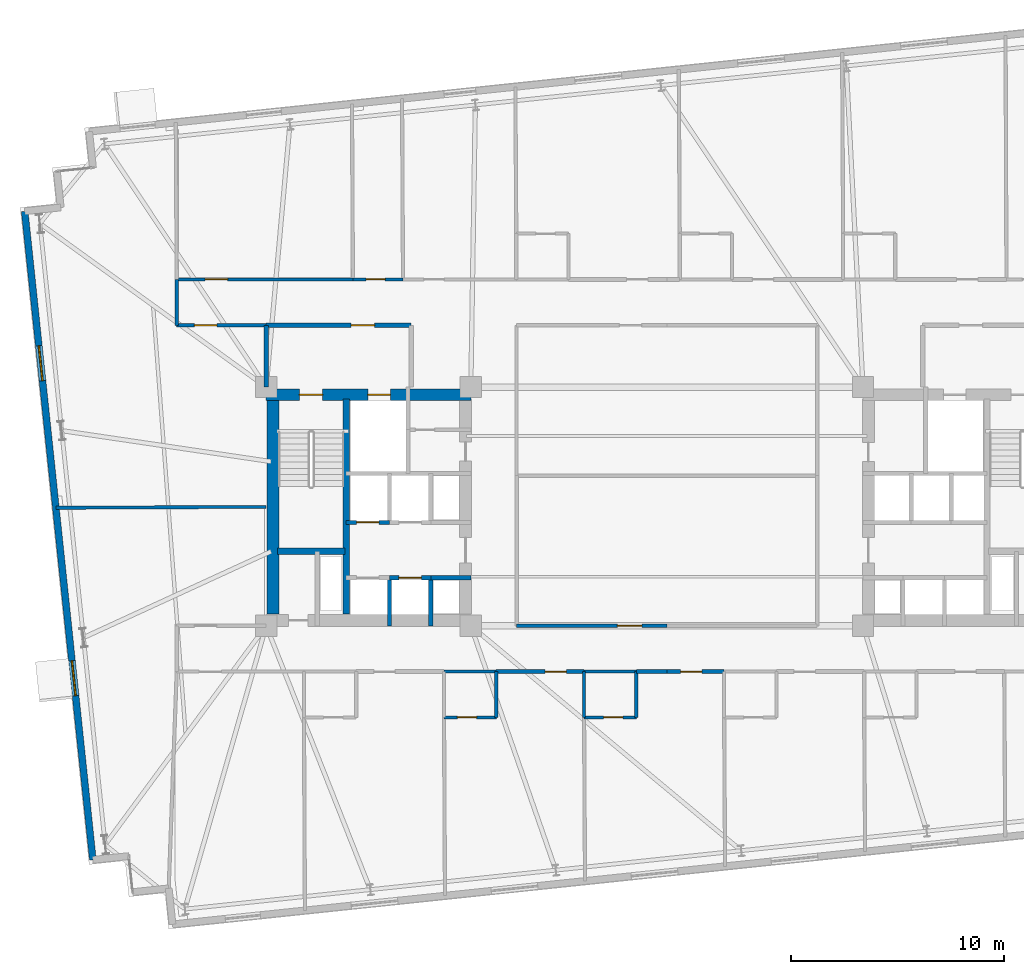
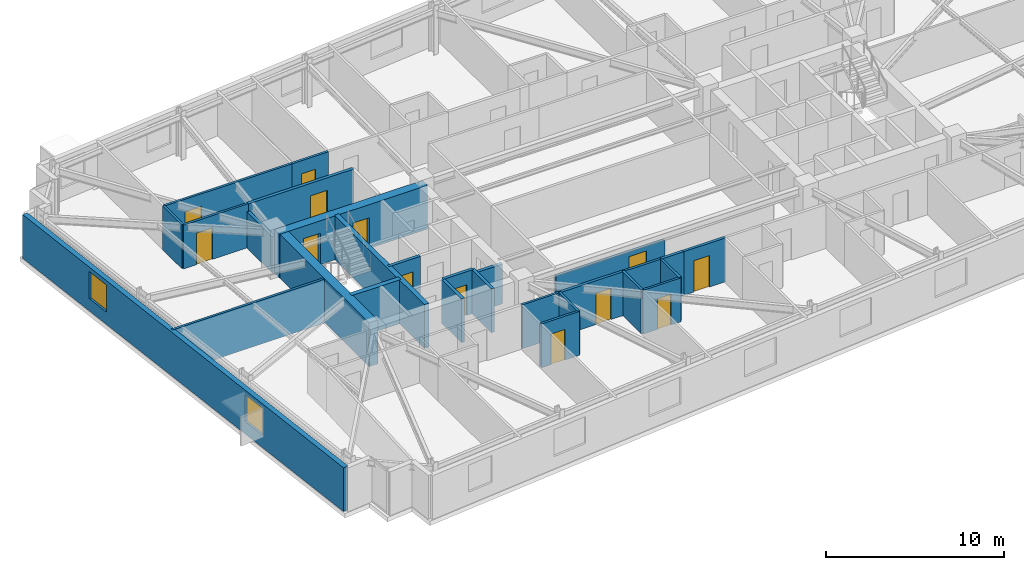
# One storey, part 12 of 19: 28 walls, 13 doors, 2 windows, 15 openings.
"""IFC4 building model written with IfcOpenShell, lengths in metres."""

from ifc_helpers import new_model, si_unit, direction, frame, frame_2d, origin, place, context, subcontext, project, spatial, rectangle, extrude, material, layer, layer_set, type_object, element, fill, save


model = new_model("IFC4")

# Units and contexts
model_context = context("Model", 3, precision=1e-05, world=origin(), true_north=direction((0.0, 1.0)))
body_context = subcontext(model_context, "Body", "Model", "MODEL_VIEW")
ifc_project = project(units=[si_unit("LENGTHUNIT", "METRE"), si_unit("AREAUNIT", "SQUARE_METRE"), si_unit("VOLUMEUNIT", "CUBIC_METRE"), si_unit("PLANEANGLEUNIT", "RADIAN"), si_unit("MASSUNIT", "GRAM", prefix="KILO")], contexts=[model_context])

# Site, building, storey
site_placement = place(None, origin())
site = spatial("IfcSite", under=ifc_project, at=site_placement, CompositionType="ELEMENT")
building_placement = place(site_placement, origin())
building = spatial("IfcBuilding", under=site, at=building_placement, Name="Qobustan Lattice House", CompositionType="ELEMENT")
storey_placement = place(building_placement, frame((0.0, 0.0, 122.550048828125)))
storey = spatial("IfcBuildingStorey", under=building, at=storey_placement, Name="L34", CompositionType="ELEMENT", Elevation=122.550048828125)

# Wall, openings, doors
ifc_material_1 = material(Name="Concrete C60/75", Category="concrete")
ifc_layer_1 = layer(ifc_material_1, 0.56005859375)
ifc_layer_set_1 = layer_set([ifc_layer_1], Name="Concrete C60/75")
wall_type_1 = type_object("IfcWallType", Name="WAL-CORE-600", PredefinedType="SHEAR", material=ifc_layer_set_1)
wall_1_placement = place(storey_placement, frame((-18.800048828125, 5.239990234375, 0.0), z_axis=(0.0, 0.0, 1.0), x_axis=(1.0, 0.0, 0.0)))
wall_1 = element("IfcWall", 1, at=wall_1_placement, inside=storey, type_object=wall_type_1, Name="L34 split-core shear wall CW-N", PredefinedType="SHEAR", context=body_context, shape_type="SweptSolid", body=[
    extrude(rectangle(XDim=9.60009765625, YDim=0.56005859375, at=frame_2d((4.800048828125, 0.0))), origin(), (0.0, 0.0, 1.0), 3.0),
])
opening_1_placement = place(wall_1_placement, frame((1.550048828125, 0.0, 0.0)))
opening_1 = element("IfcOpeningElement", 2, at=opening_1_placement, cuts=wall_1, Name="Opening SD-01", PredefinedType="OPENING", context=body_context, shape_type="SweptSolid", body=[
    extrude(rectangle(XDim=1.10009765625, YDim=2.14990234375, at=frame_2d((0.550048828125, 1.074951171875))), frame((0.0, 0.2900390625, 0.0), z_axis=(0.0, -1.0, 0.0), x_axis=(1.0, 0.0, 0.0)), (0.0, 0.0, 1.0), 0.580078125),
])
opening_2_placement = place(wall_1_placement, frame((4.77490234375, 0.0, 0.0)))
opening_2 = element("IfcOpeningElement", 3, at=opening_2_placement, cuts=wall_1, Name="Opening LD-01", PredefinedType="OPENING", context=body_context, shape_type="SweptSolid", body=[
    extrude(rectangle(XDim=1.050048828125, YDim=2.10009765625, at=frame_2d((0.52490234375, 1.050048828125))), frame((0.0, 0.2900390625, 0.0), z_axis=(0.0, -1.0, 0.0), x_axis=(1.0, 0.0, 0.0)), (0.0, 0.0, 1.0), 0.580078125),
])
ifc_material_2 = material(Name="Persian walnut timber and steel frame door", Category="steel")
door_type_1 = type_object("IfcDoorType", Name="DOR-LIFT-LD-1050x2100", OperationType="NOTDEFINED", PredefinedType="DOOR", material=ifc_material_2)
door_1_placement = place(opening_2_placement, origin())
door_1 = element("IfcDoor", 4, at=door_1_placement, inside=storey, type_object=door_type_1, Name="L34 firefighting lift FF-W landing door", OperationType="DOUBLE_DOOR_SLIDING", OverallHeight=2.10009765625, OverallWidth=1.050048828125, PredefinedType="DOOR", context=body_context, shape_type="SweptSolid", body=[
    extrude(rectangle(XDim=1.050048828125, YDim=2.10009765625, at=frame_2d((0.52490234375, 1.050048828125))), frame((0.0, 0.02490234375, 0.0), z_axis=(0.0, -1.0, 0.0), x_axis=(1.0, 0.0, 0.0)), (0.0, 0.0, 1.0), 0.050048828125),
])
fill(opening_2, door_1)
ifc_material_3 = material(Name="Persian walnut timber and steel frame door", Category="steel")
door_type_2 = type_object("IfcDoorType", Name="DOR-STAIR-FD-1100x2150", OperationType="NOTDEFINED", PredefinedType="DOOR", material=ifc_material_3)
door_2_placement = place(opening_1_placement, origin())
door_2 = element("IfcDoor", 5, at=door_2_placement, inside=storey, type_object=door_type_2, Name="L34 exit stair ST-W1 fire door", OperationType="SINGLE_SWING_RIGHT", OverallHeight=2.14990234375, OverallWidth=1.10009765625, PredefinedType="DOOR", context=body_context, shape_type="SweptSolid", body=[
    extrude(rectangle(XDim=1.10009765625, YDim=2.14990234375, at=frame_2d((0.550048828125, 1.074951171875))), frame((0.0, 0.02490234375, 0.0), z_axis=(0.0, -1.0, 0.0), x_axis=(1.0, 0.0, 0.0)), (0.0, 0.0, 1.0), 0.050048828125),
])
fill(opening_1, door_2)

# Walls
wall_2_placement = place(storey_placement, frame((-18.489990234375, -5.050048828125, 0.0), z_axis=(0.0, 0.0, 1.0), x_axis=(0.0, 1.0, 0.0)))
element("IfcWall", 6, at=wall_2_placement, inside=storey, type_object=wall_type_1, Name="L34 split-core shear wall CW-W", PredefinedType="SHEAR", context=body_context, shape_type="SweptSolid", body=[
    extrude(rectangle(XDim=10.10009765625, YDim=0.56005859375, at=frame_2d((5.050048828125, 0.0))), origin(), (0.0, 0.0, 1.0), 3.0),
])
ifc_material_4 = material(Name="Concrete C50/60", Category="concrete")
ifc_layer_2 = layer(ifc_material_4, 0.280029296875)
ifc_layer_set_2 = layer_set([ifc_layer_2], Name="Concrete C50/60")
wall_type_2 = type_object("IfcWallType", Name="WAL-CORE-SPINE-280", PredefinedType="SHEAR", material=ifc_layer_set_2)
wall_3_placement = place(storey_placement, frame((-15.050048828125, -5.050048828125, 0.0), z_axis=(0.0, 0.0, 1.0), x_axis=(0.0, 1.0, 0.0)))
element("IfcWall", 7, at=wall_3_placement, inside=storey, type_object=wall_type_2, Name="L34 split-core shear wall CW-M", PredefinedType="SHEAR", context=body_context, shape_type="SweptSolid", body=[
    extrude(rectangle(XDim=10.10009765625, YDim=0.300048828125, at=frame_2d((5.050048828125, 0.0))), origin(), (0.0, 0.0, 1.0), 3.0),
])
wall_4_placement = place(storey_placement, frame((-18.280029296875, -2.110107421875, 0.0), z_axis=(0.0, 0.0, 1.0), x_axis=(1.0, 0.0, 0.0)))
element("IfcWall", 8, at=wall_4_placement, inside=storey, type_object=wall_type_2, Name="L34 split-core shear wall CW-ST", PredefinedType="SHEAR", context=body_context, shape_type="SweptSolid", body=[
    extrude(rectangle(XDim=3.179931640625, YDim=0.300048828125, at=frame_2d((1.58984375, 0.0))), origin(), (0.0, 0.0, 1.0), 3.0),
])

# Wall, openings, windows
ifc_material_5 = material(Name="Precast concrete C40/50", Category="concrete")
ifc_layer_3 = layer(ifc_material_5, 0.320068359375)
ifc_layer_set_3 = layer_set([ifc_layer_3], Name="Precast concrete C40/50")
wall_type_3 = type_object("IfcWallType", Name="WAL-EXT-STONE-320", PredefinedType="SOLIDWALL", material=ifc_layer_set_3)
wall_5_placement = place(storey_placement, frame((-26.934814453125, -16.58349609375, 0.0), z_axis=(0.0, 0.0, 1.0), x_axis=(-0.104524887486, 0.994522271192, 0.0)))
wall_5 = element("IfcWall", 9, at=wall_5_placement, inside=storey, type_object=wall_type_3, Name="L34 exterior limestone-clad wall 5", PredefinedType="SOLIDWALL", context=body_context, shape_type="SweptSolid", body=[
    extrude(rectangle(XDim=30.600341796875, YDim=0.320068359375, at=frame_2d((15.30029296875, 0.0))), origin(), (0.0, 0.0, 1.0), 3.0),
])
opening_3_placement = place(wall_5_placement, frame((7.74609375, 0.0, 0.85009765625)))
opening_3 = element("IfcOpeningElement", 10, at=opening_3_placement, cuts=wall_5, Name="Opening WN-09", PredefinedType="OPENING", context=body_context, shape_type="SweptSolid", body=[
    extrude(rectangle(XDim=1.64990234375, YDim=1.85009765625, at=frame_2d((0.824951171875, 0.925048828125))), frame((0.0, 0.169921875, 0.0), z_axis=(0.0, -1.0, 0.0), x_axis=(1.0, 0.0, 0.0)), (0.0, 0.0, 1.0), 0.340087890625),
])
opening_4_placement = place(wall_5_placement, frame((22.605712890625, 0.0, 0.85009765625)))
opening_4 = element("IfcOpeningElement", 11, at=opening_4_placement, cuts=wall_5, Name="Opening WN-09", PredefinedType="OPENING", context=body_context, shape_type="SweptSolid", body=[
    extrude(rectangle(XDim=1.64990234375, YDim=1.85009765625, at=frame_2d((0.824951171875, 0.925048828125))), frame((0.0, 0.169921875, 0.0), z_axis=(0.0, -1.0, 0.0), x_axis=(1.0, 0.0, 0.0)), (0.0, 0.0, 1.0), 0.340087890625),
])
ifc_material_6 = material(Name="Double-glazed low-E aluminium window", Category="aluminium")
window_type = type_object("IfcWindowType", Name="WIN-STU-1650x1850", PartitioningType="SINGLE_PANEL", PredefinedType="WINDOW", material=ifc_material_6)
window_1_placement = place(opening_3_placement, origin())
window_1 = element("IfcWindow", 12, at=window_1_placement, inside=storey, type_object=window_type, Name="L34 Fellows reading room window", OverallHeight=1.85009765625, OverallWidth=1.64990234375, PartitioningType="SINGLE_PANEL", PredefinedType="WINDOW", context=body_context, shape_type="SweptSolid", body=[
    extrude(rectangle(XDim=1.64990234375, YDim=1.85009765625, at=frame_2d((0.824951171875, 0.925048828125))), frame((0.0, 0.030029296875, 0.0), z_axis=(0.0, -1.0, 0.0), x_axis=(1.0, 0.0, 0.0)), (0.0, 0.0, 1.0), 0.06005859375),
])
fill(opening_3, window_1)
window_2_placement = place(opening_4_placement, origin())
window_2 = element("IfcWindow", 13, at=window_2_placement, inside=storey, type_object=window_type, Name="L34 Collaborative tutorial room window", OverallHeight=1.85009765625, OverallWidth=1.64990234375, PartitioningType="SINGLE_PANEL", PredefinedType="WINDOW", context=body_context, shape_type="SweptSolid", body=[
    extrude(rectangle(XDim=1.64990234375, YDim=1.85009765625, at=frame_2d((0.824951171875, 0.925048828125))), frame((0.0, 0.030029296875, 0.0), z_axis=(0.0, -1.0, 0.0), x_axis=(1.0, 0.0, 0.0)), (0.0, 0.0, 1.0), 0.06005859375),
])
fill(opening_4, window_2)

# Wall, opening, door
ifc_material_7 = material(Name="Gypsum fireboard acoustic partition", Category="gypsum")
ifc_layer_4 = layer(ifc_material_7, 0.179931640625)
ifc_layer_set_4 = layer_set([ifc_layer_4], Name="Gypsum fireboard acoustic partition")
wall_type_4 = type_object("IfcWallType", Name="WAL-FIRE-180", PredefinedType="PARTITIONING", material=ifc_layer_set_4)
wall_6_placement = place(storey_placement, frame((-3.885986328125, -7.75, 0.0), z_axis=(0.0, 0.0, 1.0), x_axis=(-1.0, 0.0, 0.0)))
wall_6 = element("IfcWall", 14, at=wall_6_placement, inside=storey, type_object=wall_type_4, Name="L34 interior partition 60", PredefinedType="PARTITIONING", context=body_context, shape_type="SweptSolid", body=[
    extrude(rectangle(XDim=4.12109375, YDim=0.179931640625, at=frame_2d((2.060546875, 0.0))), origin(), (0.0, 0.0, 1.0), 3.0),
])
opening_5_placement = place(wall_6_placement, frame((0.8251953125, 0.0, 0.0)))
opening_5 = element("IfcOpeningElement", 15, at=opening_5_placement, cuts=wall_6, Name="Opening FD-02", PredefinedType="OPENING", context=body_context, shape_type="SweptSolid", body=[
    extrude(rectangle(XDim=1.0, YDim=2.14990234375, at=frame_2d((0.5, 1.074951171875))), frame((0.0, 0.099853515625, 0.0), z_axis=(0.0, -1.0, 0.0), x_axis=(1.0, 0.0, 0.0)), (0.0, 0.0, 1.0), 0.199951171875),
])
ifc_material_8 = material(Name="Persian walnut timber and steel frame door", Category="steel")
door_type_3 = type_object("IfcDoorType", Name="DOR-UNIT-FD-1000x2150", OperationType="NOTDEFINED", PredefinedType="DOOR", material=ifc_material_8)
door_3_placement = place(opening_5_placement, origin())
door_3 = element("IfcDoor", 16, at=door_3_placement, inside=storey, type_object=door_type_3, Name="L34 South-west floor corridor to Kitchenette and studio apartment L34-S3 door", OperationType="SINGLE_SWING_LEFT", OverallHeight=2.14990234375, OverallWidth=1.0, PredefinedType="DOOR", context=body_context, shape_type="SweptSolid", body=[
    extrude(rectangle(XDim=1.0, YDim=2.14990234375, at=frame_2d((0.5, 1.074951171875))), frame((0.0, 0.02490234375, 0.0), z_axis=(0.0, -1.0, 0.0), x_axis=(1.0, 0.0, 0.0)), (0.0, 0.0, 1.0), 0.050048828125),
])
fill(opening_5, door_3)

# Wall
wall_7_placement = place(storey_placement, frame((0.0, -7.75, 0.0), z_axis=(0.0, 0.0, 1.0), x_axis=(-1.0, 0.0, 0.0)))
element("IfcWall", 17, at=wall_7_placement, inside=storey, type_object=wall_type_4, Name="L34 interior partition 62", PredefinedType="PARTITIONING", context=body_context, shape_type="SweptSolid", body=[
    extrude(rectangle(XDim=1.43603515625, YDim=0.179931640625, at=frame_2d((0.718017578125, 0.0))), origin(), (0.0, 0.0, 1.0), 3.0),
])

# Wall, opening, door
wall_8_placement = place(storey_placement, frame((2.68603515625, -7.75, 0.0), z_axis=(0.0, 0.0, 1.0), x_axis=(-1.0, 0.0, 0.0)))
wall_8 = element("IfcWall", 18, at=wall_8_placement, inside=storey, type_object=wall_type_4, Name="L34 interior partition 67", PredefinedType="PARTITIONING", context=body_context, shape_type="SweptSolid", body=[
    extrude(rectangle(XDim=2.68603515625, YDim=0.179931640625, at=frame_2d((1.343017578125, 0.0))), origin(), (0.0, 0.0, 1.0), 3.0),
])
opening_6_placement = place(wall_8_placement, frame((1.040283203125, 0.0, 0.0)))
opening_6 = element("IfcOpeningElement", 19, at=opening_6_placement, cuts=wall_8, Name="Opening FD-02", PredefinedType="OPENING", context=body_context, shape_type="SweptSolid", body=[
    extrude(rectangle(XDim=1.0, YDim=2.14990234375, at=frame_2d((0.5, 1.074951171875))), frame((0.0, 0.099853515625, 0.0), z_axis=(0.0, -1.0, 0.0), x_axis=(1.0, 0.0, 0.0)), (0.0, 0.0, 1.0), 0.199951171875),
])
door_4_placement = place(opening_6_placement, origin())
door_4 = element("IfcDoor", 20, at=door_4_placement, inside=storey, type_object=door_type_3, Name="L34 South-east floor corridor to Kitchenette and studio apartment L34-S4 door", OperationType="SINGLE_SWING_RIGHT", OverallHeight=2.14990234375, OverallWidth=1.0, PredefinedType="DOOR", context=body_context, shape_type="SweptSolid", body=[
    extrude(rectangle(XDim=1.0, YDim=2.14990234375, at=frame_2d((0.5, 1.074951171875))), frame((0.0, 0.02490234375, 0.0), z_axis=(0.0, -1.0, 0.0), x_axis=(1.0, 0.0, 0.0)), (0.0, 0.0, 1.0), 0.050048828125),
])
fill(opening_6, door_4)

ifc_material_9 = material(Name="Acoustic twin-stud gypsum partition", Category="gypsum")
ifc_layer_5 = layer(ifc_material_9, 0.14990234375)
ifc_layer_set_5 = layer_set([ifc_layer_5], Name="Acoustic twin-stud gypsum partition")
wall_type_5 = type_object("IfcWallType", Name="WAL-PART-150", PredefinedType="PARTITIONING", material=ifc_layer_set_5)
wall_9_placement = place(storey_placement, frame((-18.800048828125, 8.5, 0.0), z_axis=(0.0, 0.0, 1.0), x_axis=(-1.0, 0.0, 0.0)))
wall_9 = element("IfcWall", 21, at=wall_9_placement, inside=storey, type_object=wall_type_5, Name="L34 interior partition 37", PredefinedType="PARTITIONING", context=body_context, shape_type="SweptSolid", body=[
    extrude(rectangle(XDim=4.199951171875, YDim=0.14990234375, at=frame_2d((2.10009765625, 0.0))), origin(), (0.0, 0.0, 1.0), 3.0),
])
opening_7_placement = place(wall_9_placement, frame((2.3212890625, 0.0, 0.0)))
opening_7 = element("IfcOpeningElement", 22, at=opening_7_placement, cuts=wall_9, Name="Opening ID-02", PredefinedType="OPENING", context=body_context, shape_type="SweptSolid", body=[
    extrude(rectangle(XDim=1.050048828125, YDim=2.14990234375, at=frame_2d((0.52490234375, 1.074951171875))), frame((0.0, 0.0849609375, 0.0), z_axis=(0.0, -1.0, 0.0), x_axis=(1.0, 0.0, 0.0)), (0.0, 0.0, 1.0), 0.169921875),
])
ifc_material_10 = material(Name="Persian walnut timber and steel frame door", Category="steel")
door_type_4 = type_object("IfcDoorType", Name="DOR-STUDY-1050x2150", OperationType="NOTDEFINED", PredefinedType="DOOR", material=ifc_material_10)
door_5_placement = place(opening_7_placement, origin())
door_5 = element("IfcDoor", 23, at=door_5_placement, inside=storey, type_object=door_type_4, Name="L34 North-west floor corridor to Collaborative tutorial room door", OperationType="SINGLE_SWING_LEFT", OverallHeight=2.14990234375, OverallWidth=1.050048828125, PredefinedType="DOOR", context=body_context, shape_type="SweptSolid", body=[
    extrude(rectangle(XDim=1.050048828125, YDim=2.14990234375, at=frame_2d((0.52490234375, 1.074951171875))), frame((0.0, 0.02490234375, 0.0), z_axis=(0.0, -1.0, 0.0), x_axis=(1.0, 0.0, 0.0)), (0.0, 0.0, 1.0), 0.050048828125),
])
fill(opening_7, door_5)

# Wall
wall_10_placement = place(storey_placement, frame((-23.0, 8.5, 0.0), z_axis=(0.0, 0.0, 1.0), x_axis=(0.0, 1.0, 0.0)))
element("IfcWall", 24, at=wall_10_placement, inside=storey, type_object=wall_type_5, Name="L34 interior partition 38", PredefinedType="PARTITIONING", context=body_context, shape_type="SweptSolid", body=[
    extrude(rectangle(XDim=2.14990234375, YDim=0.14990234375, at=frame_2d((1.074951171875, 0.0))), origin(), (0.0, 0.0, 1.0), 3.0),
])

# Wall, opening, door
wall_11_placement = place(storey_placement, frame((-23.0, 10.64990234375, 0.0), z_axis=(0.0, 0.0, 1.0), x_axis=(1.0, 0.0, 0.0)))
wall_11 = element("IfcWall", 25, at=wall_11_placement, inside=storey, type_object=wall_type_5, Name="L34 interior partition 39", PredefinedType="PARTITIONING", context=body_context, shape_type="SweptSolid", body=[
    extrude(rectangle(XDim=8.26708984375, YDim=0.14990234375, at=frame_2d((4.133544921875, 0.0))), origin(), (0.0, 0.0, 1.0), 3.0),
])
opening_8_placement = place(wall_11_placement, frame((1.337158203125, 0.0, 0.0)))
opening_8 = element("IfcOpeningElement", 26, at=opening_8_placement, cuts=wall_11, Name="Opening ID-02", PredefinedType="OPENING", context=body_context, shape_type="SweptSolid", body=[
    extrude(rectangle(XDim=1.050048828125, YDim=2.14990234375, at=frame_2d((0.52490234375, 1.074951171875))), frame((0.0, 0.0849609375, 0.0), z_axis=(0.0, -1.0, 0.0), x_axis=(1.0, 0.0, 0.0)), (0.0, 0.0, 1.0), 0.169921875),
])
door_6_placement = place(opening_8_placement, origin())
door_6 = element("IfcDoor", 27, at=door_6_placement, inside=storey, type_object=door_type_4, Name="L34 North-west floor corridor to Focus study room N1 door", OperationType="SINGLE_SWING_RIGHT", OverallHeight=2.14990234375, OverallWidth=1.050048828125, PredefinedType="DOOR", context=body_context, shape_type="SweptSolid", body=[
    extrude(rectangle(XDim=1.050048828125, YDim=2.14990234375, at=frame_2d((0.52490234375, 1.074951171875))), frame((0.0, 0.02490234375, 0.0), z_axis=(0.0, -1.0, 0.0), x_axis=(1.0, 0.0, 0.0)), (0.0, 0.0, 1.0), 0.050048828125),
])
fill(opening_8, door_6)

# Wall
wall_12_placement = place(storey_placement, frame((-28.6708984375, -0.063720703125, 0.0), z_axis=(0.0, 0.0, 1.0), x_axis=(0.999990089865, 0.004451985263, 0.0)))
element("IfcWall", 28, at=wall_12_placement, inside=storey, type_object=wall_type_5, Name="L34 interior partition 78", PredefinedType="PARTITIONING", context=body_context, shape_type="SweptSolid", body=[
    extrude(rectangle(XDim=9.870849609375, YDim=0.14990234375, at=frame_2d((4.935546875, 0.0))), origin(), (0.0, 0.0, 1.0), 3.0),
])

# Wall, opening, door
ifc_material_11 = material(Name="High-mass acoustic twin-stud partition", Category="gypsum")
ifc_layer_6 = layer(ifc_material_11, 0.1650390625)
ifc_layer_set_6 = layer_set([ifc_layer_6], Name="High-mass acoustic twin-stud partition")
wall_type_6 = type_object("IfcWallType", Name="WAL-PART-165", PredefinedType="PARTITIONING", material=ifc_layer_set_6)
wall_13_placement = place(storey_placement, frame((-7.050048828125, -5.60009765625, 0.0), z_axis=(0.0, 0.0, 1.0), x_axis=(1.0, 0.0, 0.0)))
wall_13 = element("IfcWall", 29, at=wall_13_placement, inside=storey, type_object=wall_type_6, Name="L34 interior partition 64", PredefinedType="PARTITIONING", context=body_context, shape_type="SweptSolid", body=[
    extrude(rectangle(XDim=7.050048828125, YDim=0.1650390625, at=frame_2d((3.52490234375, 0.0))), origin(), (0.0, 0.0, 1.0), 2.48486328125),
])
opening_9_placement = place(wall_13_placement, frame((4.7275390625, 0.0, 0.0)))
opening_9 = element("IfcOpeningElement", 30, at=opening_9_placement, cuts=wall_13, Name="Opening ID-03", PredefinedType="OPENING", context=body_context, shape_type="SweptSolid", body=[
    extrude(rectangle(XDim=1.14990234375, YDim=2.14990234375, at=frame_2d((0.574951171875, 1.074951171875))), frame((0.0, 0.092529296875, 0.0), z_axis=(0.0, -1.0, 0.0), x_axis=(1.0, 0.0, 0.0)), (0.0, 0.0, 1.0), 0.18505859375),
])
ifc_material_12 = material(Name="Persian walnut timber and steel frame door", Category="steel")
door_type_5 = type_object("IfcDoorType", Name="DOR-KITCH-1150x2150", OperationType="NOTDEFINED", PredefinedType="DOOR", material=ifc_material_12)
door_7_placement = place(opening_9_placement, origin())
door_7 = element("IfcDoor", 31, at=door_7_placement, inside=storey, type_object=door_type_5, Name="L34 South-west floor corridor to Communal dining kitchen door", OperationType="SINGLE_SWING_RIGHT", OverallHeight=2.14990234375, OverallWidth=1.14990234375, PredefinedType="DOOR", context=body_context, shape_type="SweptSolid", body=[
    extrude(rectangle(XDim=1.14990234375, YDim=2.14990234375, at=frame_2d((0.574951171875, 1.074951171875))), frame((0.0, 0.02490234375, 0.0), z_axis=(0.0, -1.0, 0.0), x_axis=(1.0, 0.0, 0.0)), (0.0, 0.0, 1.0), 0.050048828125),
])
fill(opening_9, door_7)

ifc_material_13 = material(Name="Two-hour gypsum fireboard acoustic partition", Category="gypsum")
ifc_layer_7 = layer(ifc_material_13, 0.199951171875)
ifc_layer_set_7 = layer_set([ifc_layer_7], Name="Two-hour gypsum fireboard acoustic partition")
wall_type_7 = type_object("IfcWallType", Name="WAL-PROT-200", PredefinedType="PARTITIONING", material=ifc_layer_set_7)
wall_14_placement = place(storey_placement, frame((-12.0, 8.5, 0.0), z_axis=(0.0, 0.0, 1.0), x_axis=(-1.0, 0.0, 0.0)))
wall_14 = element("IfcWall", 32, at=wall_14_placement, inside=storey, type_object=wall_type_7, Name="L34 interior partition 4", PredefinedType="PARTITIONING", context=body_context, shape_type="SweptSolid", body=[
    extrude(rectangle(XDim=6.800048828125, YDim=0.199951171875, at=frame_2d((3.39990234375, 0.0))), origin(), (0.0, 0.0, 1.0), 3.0),
])
opening_10_placement = place(wall_14_placement, frame((1.715087890625, 0.0, 0.0)))
opening_10 = element("IfcOpeningElement", 33, at=opening_10_placement, cuts=wall_14, Name="Opening SD-01", PredefinedType="OPENING", context=body_context, shape_type="SweptSolid", body=[
    extrude(rectangle(XDim=1.10009765625, YDim=2.14990234375, at=frame_2d((0.550048828125, 1.074951171875))), frame((0.0, 0.10986328125, 0.0), z_axis=(0.0, -1.0, 0.0), x_axis=(1.0, 0.0, 0.0)), (0.0, 0.0, 1.0), 0.219970703125),
])
door_8_placement = place(opening_10_placement, origin())
door_8 = element("IfcDoor", 34, at=door_8_placement, inside=storey, type_object=door_type_2, Name="L34 West firefighting lift lobby to North-west floor corridor door", OperationType="SINGLE_SWING_RIGHT", OverallHeight=2.14990234375, OverallWidth=1.10009765625, PredefinedType="DOOR", context=body_context, shape_type="SweptSolid", body=[
    extrude(rectangle(XDim=1.10009765625, YDim=2.14990234375, at=frame_2d((0.550048828125, 1.074951171875))), frame((0.0, 0.02490234375, 0.0), z_axis=(0.0, -1.0, 0.0), x_axis=(1.0, 0.0, 0.0)), (0.0, 0.0, 1.0), 0.050048828125),
])
fill(opening_10, door_8)

# Wall
wall_15_placement = place(storey_placement, frame((-18.800048828125, 8.5, 0.0), z_axis=(0.0, 0.0, 1.0), x_axis=(0.0, -1.0, 0.0)))
element("IfcWall", 35, at=wall_15_placement, inside=storey, type_object=wall_type_7, Name="L34 interior partition 6", PredefinedType="PARTITIONING", context=body_context, shape_type="SweptSolid", body=[
    extrude(rectangle(XDim=2.89990234375, YDim=0.199951171875, at=frame_2d((1.449951171875, 0.0))), origin(), (0.0, 0.0, 1.0), 2.48486328125),
])

# Wall, opening, door
ifc_material_14 = material(Name="Concrete C40/50", Category="concrete")
ifc_layer_8 = layer(ifc_material_14, 0.199951171875)
ifc_layer_set_8 = layer_set([ifc_layer_8], Name="Concrete C40/50")
wall_type_8 = type_object("IfcWallType", Name="WAL-SHAFT-200", PredefinedType="PARTITIONING", material=ifc_layer_set_8)
wall_16_placement = place(storey_placement, frame((-13.02001953125, -3.35009765625, 0.0), z_axis=(0.0, 0.0, 1.0), x_axis=(1.0, 0.0, 0.0)))
wall_16 = element("IfcWall", 36, at=wall_16_placement, inside=storey, type_object=wall_type_8, Name="L34 interior partition 10", PredefinedType="PARTITIONING", context=body_context, shape_type="SweptSolid", body=[
    extrude(rectangle(XDim=1.93994140625, YDim=0.199951171875, at=frame_2d((0.969970703125, 0.0))), origin(), (0.0, 0.0, 1.0), 3.0),
])
opening_11_placement = place(wall_16_placement, frame((0.445068359375, 0.0, 0.0)))
opening_11 = element("IfcOpeningElement", 37, at=opening_11_placement, cuts=wall_16, Name="Opening LD-01", PredefinedType="OPENING", context=body_context, shape_type="SweptSolid", body=[
    extrude(rectangle(XDim=1.050048828125, YDim=2.10009765625, at=frame_2d((0.52490234375, 1.050048828125))), frame((0.0, 0.10986328125, 0.0), z_axis=(0.0, -1.0, 0.0), x_axis=(1.0, 0.0, 0.0)), (0.0, 0.0, 1.0), 0.219970703125),
])
door_9_placement = place(opening_11_placement, origin())
door_9 = element("IfcDoor", 38, at=door_9_placement, inside=storey, type_object=door_type_1, Name="L34 lift landing door", OperationType="DOUBLE_DOOR_SLIDING", OverallHeight=2.10009765625, OverallWidth=1.050048828125, PredefinedType="DOOR", context=body_context, shape_type="SweptSolid", body=[
    extrude(rectangle(XDim=1.050048828125, YDim=2.10009765625, at=frame_2d((0.52490234375, 1.050048828125))), frame((0.0, 0.02490234375, 0.0), z_axis=(0.0, -1.0, 0.0), x_axis=(1.0, 0.0, 0.0)), (0.0, 0.0, 1.0), 0.050048828125),
])
fill(opening_11, door_9)

# Wall
wall_17_placement = place(storey_placement, frame((-11.080078125, -3.35009765625, 0.0), z_axis=(0.0, 0.0, 1.0), x_axis=(1.0, 0.0, 0.0)))
element("IfcWall", 39, at=wall_17_placement, inside=storey, type_object=wall_type_8, Name="L34 interior partition 11", PredefinedType="PARTITIONING", context=body_context, shape_type="SweptSolid", body=[
    extrude(rectangle(XDim=1.880126953125, YDim=0.199951171875, at=frame_2d((0.93994140625, 0.0))), origin(), (0.0, 0.0, 1.0), 2.71484375),
])

# Wall, opening, door
wall_18_placement = place(storey_placement, frame((-13.02001953125, -0.75, 0.0), z_axis=(0.0, 0.0, 1.0), x_axis=(-1.0, 0.0, 0.0)))
wall_18 = element("IfcWall", 40, at=wall_18_placement, inside=storey, type_object=wall_type_8, Name="L34 interior partition 12", PredefinedType="PARTITIONING", context=body_context, shape_type="SweptSolid", body=[
    extrude(rectangle(XDim=2.030029296875, YDim=0.199951171875, at=frame_2d((1.01513671875, 0.0))), origin(), (0.0, 0.0, 1.0), 3.0),
])
opening_12_placement = place(wall_18_placement, frame((0.489990234375, 0.0, 0.0)))
opening_12 = element("IfcOpeningElement", 41, at=opening_12_placement, cuts=wall_18, Name="Opening LD-01", PredefinedType="OPENING", context=body_context, shape_type="SweptSolid", body=[
    extrude(rectangle(XDim=1.050048828125, YDim=2.10009765625, at=frame_2d((0.52490234375, 1.050048828125))), frame((0.0, 0.10986328125, 0.0), z_axis=(0.0, -1.0, 0.0), x_axis=(1.0, 0.0, 0.0)), (0.0, 0.0, 1.0), 0.219970703125),
])
door_10_placement = place(opening_12_placement, origin())
door_10 = element("IfcDoor", 42, at=door_10_placement, inside=storey, type_object=door_type_1, Name="L34 lift landing door", OperationType="DOUBLE_DOOR_SLIDING", OverallHeight=2.10009765625, OverallWidth=1.050048828125, PredefinedType="DOOR", context=body_context, shape_type="SweptSolid", body=[
    extrude(rectangle(XDim=1.050048828125, YDim=2.10009765625, at=frame_2d((0.52490234375, 1.050048828125))), frame((0.0, 0.02490234375, 0.0), z_axis=(0.0, -1.0, 0.0), x_axis=(1.0, 0.0, 0.0)), (0.0, 0.0, 1.0), 0.050048828125),
])
fill(opening_12, door_10)

# Walls
for number, where, z_axis, x_axis, name in (
    (43, (-13.02001953125, -5.60009765625, 0.0), (0.0, 0.0, 1.0), (0.0, 1.0, 0.0), "L34 interior partition 16"),
    (44, (-11.080078125, -5.60009765625, 0.0), (0.0, 0.0, 1.0), (0.0, 1.0, 0.0), "L34 interior partition 17"),
):
    element("IfcWall", number, at=place(storey_placement, frame(where, z_axis=z_axis, x_axis=x_axis)), inside=storey, type_object=wall_type_8, Name=name, PredefinedType="PARTITIONING", context=body_context, shape_type="SweptSolid", body=[
        extrude(rectangle(XDim=2.25, YDim=0.199951171875, at=frame_2d((1.125, 0.0))), origin(), (0.0, 0.0, 1.0), 3.0),
    ])

# Wall, opening, door
ifc_material_15 = material(Name="Moisture-resistant acoustic plumbing wall", Category="gypsum")
ifc_layer_9 = layer(ifc_material_15, 0.14990234375)
ifc_layer_set_9 = layer_set([ifc_layer_9], Name="Moisture-resistant acoustic plumbing wall")
wall_type_9 = type_object("IfcWallType", Name="WAL-WET-150", PredefinedType="PLUMBINGWALL", material=ifc_layer_set_9)
wall_19_placement = place(storey_placement, frame((-14.73291015625, 10.64990234375, 0.0), z_axis=(0.0, 0.0, 1.0), x_axis=(1.0, 0.0, 0.0)))
wall_19 = element("IfcWall", 45, at=wall_19_placement, inside=storey, type_object=wall_type_9, Name="L34 interior partition 40", PredefinedType="PLUMBINGWALL", context=body_context, shape_type="SweptSolid", body=[
    extrude(rectangle(XDim=2.349853515625, YDim=0.14990234375, at=frame_2d((1.1748046875, 0.0))), origin(), (0.0, 0.0, 1.0), 3.0),
])
opening_13_placement = place(wall_19_placement, frame((0.6162109375, 0.0, 0.0)))
opening_13 = element("IfcOpeningElement", 46, at=opening_13_placement, cuts=wall_19, Name="Opening WD-01", PredefinedType="OPENING", context=body_context, shape_type="SweptSolid", body=[
    extrude(rectangle(XDim=0.89990234375, YDim=2.10009765625, at=frame_2d((0.449951171875, 1.050048828125))), frame((0.0, 0.0849609375, 0.0), z_axis=(0.0, -1.0, 0.0), x_axis=(1.0, 0.0, 0.0)), (0.0, 0.0, 1.0), 0.169921875),
])
ifc_material_16 = material(Name="Persian walnut timber and steel frame door", Category="steel")
door_type_6 = type_object("IfcDoorType", Name="DOR-WET-900x2100", OperationType="NOTDEFINED", PredefinedType="DOOR", material=ifc_material_16)
door_11_placement = place(opening_13_placement, origin())
door_11 = element("IfcDoor", 47, at=door_11_placement, inside=storey, type_object=door_type_6, Name="L34 North-west floor corridor to Accessible WC door", OperationType="SINGLE_SWING_LEFT", OverallHeight=2.10009765625, OverallWidth=0.89990234375, PredefinedType="DOOR", context=body_context, shape_type="SweptSolid", body=[
    extrude(rectangle(XDim=0.89990234375, YDim=2.10009765625, at=frame_2d((0.449951171875, 1.050048828125))), frame((0.0, 0.02490234375, 0.0), z_axis=(0.0, -1.0, 0.0), x_axis=(1.0, 0.0, 0.0)), (0.0, 0.0, 1.0), 0.050048828125),
])
fill(opening_13, door_11)

# Walls
for number, where, z_axis, x_axis, name in (
    (48, (-8.007080078125, -7.75, 0.0), (0.0, 0.0, 1.0), (-1.0, 0.0, 0.0), "L34 interior partition 61"),
    (49, (-1.43603515625, -7.75, 0.0), (0.0, 0.0, 1.0), (-1.0, 0.0, 0.0), "L34 interior partition 63"),
):
    element("IfcWall", number, at=place(storey_placement, frame(where, z_axis=z_axis, x_axis=x_axis)), inside=storey, type_object=wall_type_9, Name=name, PredefinedType="PLUMBINGWALL", context=body_context, shape_type="SweptSolid", body=[
        extrude(rectangle(XDim=2.449951171875, YDim=0.14990234375, at=frame_2d((1.22509765625, 0.0))), origin(), (0.0, 0.0, 1.0), 3.0),
    ])

# Wall, opening, door
wall_20_placement = place(storey_placement, frame((-10.45703125, -9.89990234375, 0.0), z_axis=(0.0, 0.0, 1.0), x_axis=(1.0, 0.0, 0.0)))
wall_20 = element("IfcWall", 50, at=wall_20_placement, inside=storey, type_object=wall_type_9, Name="L34 interior partition 106", PredefinedType="PLUMBINGWALL", context=body_context, shape_type="SweptSolid", body=[
    extrude(rectangle(XDim=2.449951171875, YDim=0.14990234375, at=frame_2d((1.22509765625, 0.0))), origin(), (0.0, 0.0, 1.0), 3.0),
])
opening_14_placement = place(wall_20_placement, frame((0.62890625, 0.0, 0.0)))
opening_14 = element("IfcOpeningElement", 51, at=opening_14_placement, cuts=wall_20, Name="Opening WD-01", PredefinedType="OPENING", context=body_context, shape_type="SweptSolid", body=[
    extrude(rectangle(XDim=0.89990234375, YDim=2.10009765625, at=frame_2d((0.449951171875, 1.050048828125))), frame((0.0, 0.0849609375, 0.0), z_axis=(0.0, -1.0, 0.0), x_axis=(1.0, 0.0, 0.0)), (0.0, 0.0, 1.0), 0.169921875),
])
door_12_placement = place(opening_14_placement, origin())
door_12 = element("IfcDoor", 52, at=door_12_placement, inside=storey, type_object=door_type_6, Name="L34 Kitchenette and studio apartment L34-S3 to En-suite bathroom L34-S3 door", OperationType="SINGLE_SWING_RIGHT", OverallHeight=2.10009765625, OverallWidth=0.89990234375, PredefinedType="DOOR", context=body_context, shape_type="SweptSolid", body=[
    extrude(rectangle(XDim=0.89990234375, YDim=2.10009765625, at=frame_2d((0.449951171875, 1.050048828125))), frame((0.0, 0.02490234375, 0.0), z_axis=(0.0, -1.0, 0.0), x_axis=(1.0, 0.0, 0.0)), (0.0, 0.0, 1.0), 0.050048828125),
])
fill(opening_14, door_12)

# Walls
for number, where, z_axis, x_axis, name in (
    (53, (-8.007080078125, -9.89990234375, 0.0), (0.0, 0.0, 1.0), (0.0, 1.0, 0.0), "L34 interior partition 107"),
    (54, (-3.885986328125, -7.75, 0.0), (0.0, 0.0, 1.0), (0.0, -1.0, 0.0), "L34 interior partition 109"),
):
    element("IfcWall", number, at=place(storey_placement, frame(where, z_axis=z_axis, x_axis=x_axis)), inside=storey, type_object=wall_type_9, Name=name, PredefinedType="PLUMBINGWALL", context=body_context, shape_type="SweptSolid", body=[
        extrude(rectangle(XDim=2.14990234375, YDim=0.14990234375, at=frame_2d((1.074951171875, 0.0))), origin(), (0.0, 0.0, 1.0), 3.0),
    ])

# Wall, opening, door
wall_21_placement = place(storey_placement, frame((-3.885986328125, -9.89990234375, 0.0), z_axis=(0.0, 0.0, 1.0), x_axis=(1.0, 0.0, 0.0)))
wall_21 = element("IfcWall", 55, at=wall_21_placement, inside=storey, type_object=wall_type_9, Name="L34 interior partition 110", PredefinedType="PLUMBINGWALL", context=body_context, shape_type="SweptSolid", body=[
    extrude(rectangle(XDim=2.449951171875, YDim=0.14990234375, at=frame_2d((1.22509765625, 0.0))), origin(), (0.0, 0.0, 1.0), 3.0),
])
opening_15_placement = place(wall_21_placement, frame((0.92138671875, 0.0, 0.0)))
opening_15 = element("IfcOpeningElement", 56, at=opening_15_placement, cuts=wall_21, Name="Opening WD-01", PredefinedType="OPENING", context=body_context, shape_type="SweptSolid", body=[
    extrude(rectangle(XDim=0.89990234375, YDim=2.10009765625, at=frame_2d((0.449951171875, 1.050048828125))), frame((0.0, 0.0849609375, 0.0), z_axis=(0.0, -1.0, 0.0), x_axis=(1.0, 0.0, 0.0)), (0.0, 0.0, 1.0), 0.169921875),
])
door_13_placement = place(opening_15_placement, origin())
door_13 = element("IfcDoor", 57, at=door_13_placement, inside=storey, type_object=door_type_6, Name="L34 Kitchenette and studio apartment L34-S4 to En-suite bathroom L34-S4 door", OperationType="SINGLE_SWING_LEFT", OverallHeight=2.10009765625, OverallWidth=0.89990234375, PredefinedType="DOOR", context=body_context, shape_type="SweptSolid", body=[
    extrude(rectangle(XDim=0.89990234375, YDim=2.10009765625, at=frame_2d((0.449951171875, 1.050048828125))), frame((0.0, 0.02490234375, 0.0), z_axis=(0.0, -1.0, 0.0), x_axis=(1.0, 0.0, 0.0)), (0.0, 0.0, 1.0), 0.050048828125),
])
fill(opening_15, door_13)

# Wall
wall_22_placement = place(storey_placement, frame((-1.43603515625, -9.89990234375, 0.0), z_axis=(0.0, 0.0, 1.0), x_axis=(0.0, 1.0, 0.0)))
element("IfcWall", 58, at=wall_22_placement, inside=storey, type_object=wall_type_9, Name="L34 interior partition 111", PredefinedType="PLUMBINGWALL", context=body_context, shape_type="SweptSolid", body=[
    extrude(rectangle(XDim=2.14990234375, YDim=0.14990234375, at=frame_2d((1.074951171875, 0.0))), origin(), (0.0, 0.0, 1.0), 3.0),
])

save(model, "model.ifc")
